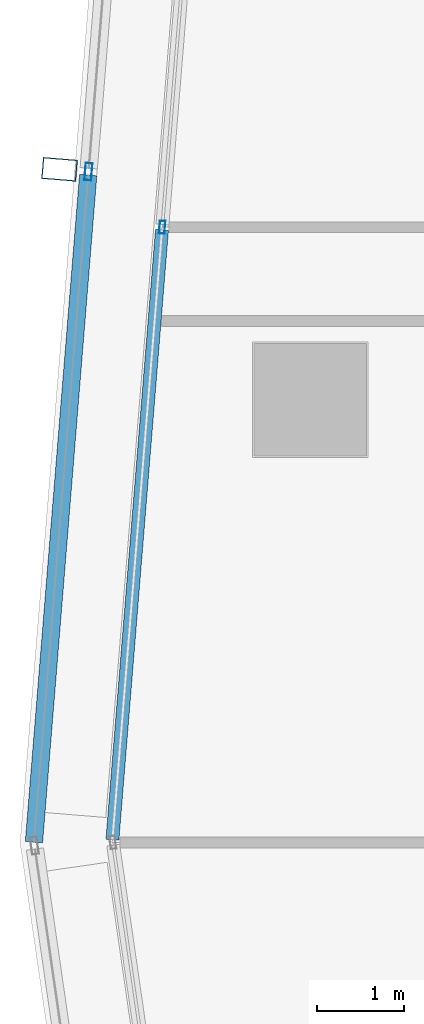
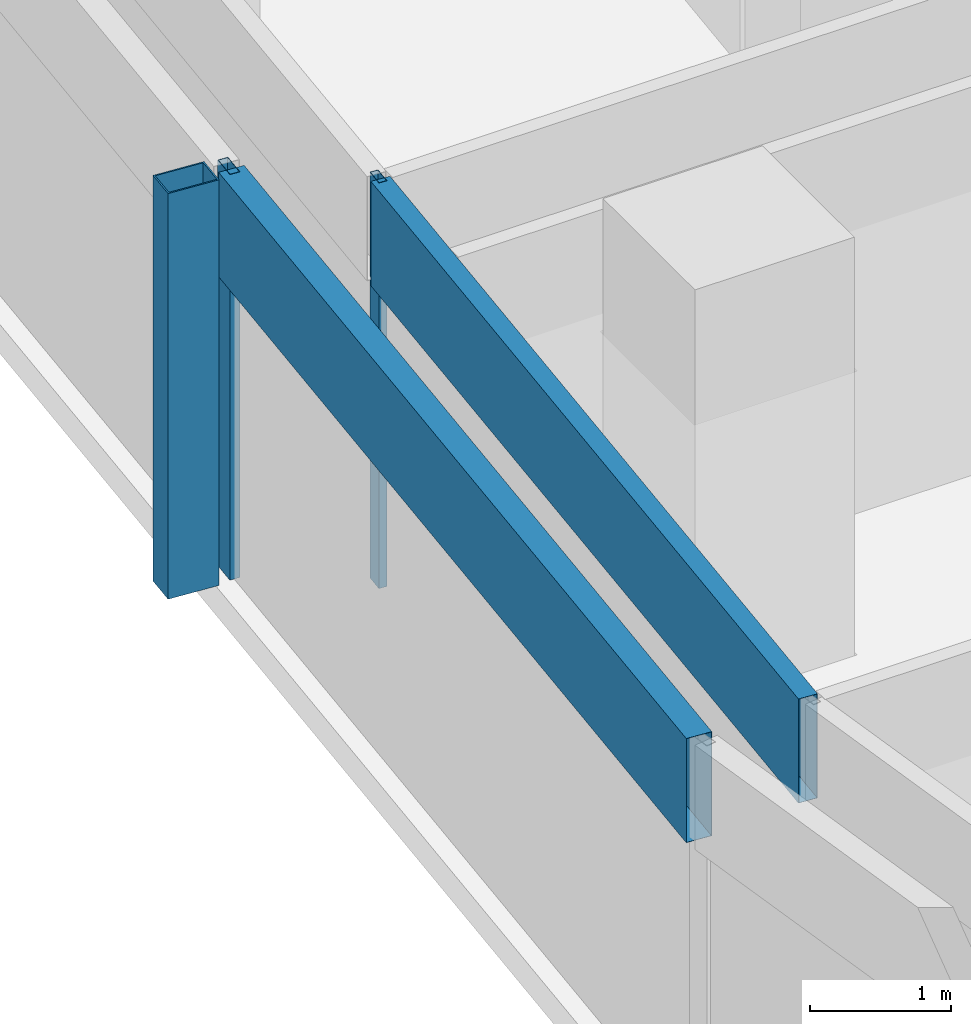
# One storey, part 7 of 29: 5 members, 2 elements without a shape of their own.
"""IFC4 building model written with IfcOpenShell, lengths in metres."""

from ifc_helpers import new_model, si_unit, direction, frame, origin, origin_2d, place, context, subcontext, project, spatial, hollow_rectangle, extrude, material, material_profile, profile_set, type_object, element, aggregate, save


model = new_model("IFC4")

# Units and contexts
model_context = context("Model", 3, precision=1e-05, world=origin(), true_north=direction((0.0, 1.0)))
body_context = subcontext(model_context, "Body", "Model", "MODEL_VIEW")
ifc_project = project(units=[si_unit("LENGTHUNIT", "METRE"), si_unit("AREAUNIT", "SQUARE_METRE"), si_unit("VOLUMEUNIT", "CUBIC_METRE"), si_unit("PLANEANGLEUNIT", "RADIAN"), si_unit("MASSUNIT", "GRAM", prefix="KILO")], contexts=[model_context])

# Site, building, storey
site_placement = place(None, origin())
site = spatial("IfcSite", under=ifc_project, at=site_placement, CompositionType="ELEMENT")
building_placement = place(site_placement, origin())
building = spatial("IfcBuilding", under=site, at=building_placement, Name="Rekha Terrace Tower", CompositionType="ELEMENT")
storey_placement = place(building_placement, frame((0.0, 0.0, 257.60009765625)))
storey = spatial("IfcBuildingStorey", under=building, at=storey_placement, Name="L65", CompositionType="ELEMENT", Elevation=257.60009765625)

# Curtain wall, member
ifc_material_1 = material(Name="Aluminium framing", Category="aluminium")
curtain_wall_type_1 = type_object("IfcCurtainWallType", Name="CW2 double skin outer glazing", PredefinedType="USERDEFINED", material=ifc_material_1)
curtain_wall_1_placement = place(storey_placement, origin())
curtain_wall_1 = element("IfcCurtainWall", 1, at=curtain_wall_1_placement, inside=storey, type_object=curtain_wall_type_1, Name="CW2 double skin outer glazing", ObjectType="DOUBLE SKIN OUTER GLAZING", PredefinedType="USERDEFINED")
ifc_material_2 = material(Name="Steel S355 with fluorocarbon finish", Category="steel")
ifc_material_profile_1 = material_profile(ifc_material_2, hollow_rectangle(XDim=0.25, YDim=0.39990234375, WallThickness=0.012451171875, at=origin_2d()), Name="RHS400x250x12.5")
ifc_profile_set_1 = profile_set([ifc_material_profile_1], Name="Steel S355 with fluorocarbon finish")
member_type_1 = type_object("IfcMemberType", Name="BL1 facade blade RHS 400 x 250", PredefinedType="USERDEFINED", material=ifc_profile_set_1)
member_1_placement = place(storey_placement, frame((5.506103515625, 36.257568359375, 0.0), z_axis=(0.0, 0.0, 1.0), x_axis=(-0.081068747348, -0.996708512156, 0.0)))
member_1 = element("IfcMember", 2, at=member_1_placement, type_object=member_type_1, Name="Facade blade", ObjectType="FACADE BLADE", PredefinedType="USERDEFINED", context=body_context, shape_type="SweptSolid", body=[
    extrude(hollow_rectangle(XDim=0.25, YDim=0.39990234375, WallThickness=0.012451171875, at=origin_2d()), origin(), (0.0, 0.0, 1.0), 3.5),
])

# Curtain wall, members
curtain_wall_type_2 = type_object("IfcCurtainWallType", Name="CW1 double skin inner glazing", PredefinedType="USERDEFINED", material=ifc_material_1)
curtain_wall_2_placement = place(storey_placement, origin())
curtain_wall_2 = element("IfcCurtainWall", 3, at=curtain_wall_2_placement, inside=storey, type_object=curtain_wall_type_2, Name="CW1 double skin inner glazing", ObjectType="DOUBLE SKIN INNER GLAZING", PredefinedType="USERDEFINED")
ifc_material_3 = material(Name="Aluminium mullion section", Category="aluminium")
ifc_material_profile_2 = material_profile(ifc_material_3, hollow_rectangle(XDim=0.06494140625, YDim=0.14990234375, WallThickness=0.00390625, at=origin_2d()), Name="AL RHS 65x150")
ifc_profile_set_2 = profile_set([ifc_material_profile_2], Name="Aluminium mullion section")
member_type_2 = type_object("IfcMemberType", Name="CW1 mullion RHS 65 x 150", PredefinedType="MULLION", material=ifc_profile_set_2)
member_2_placement = place(storey_placement, frame((6.69091796875, 35.58984375, 0.0), z_axis=(0.0, 0.0, 1.0), x_axis=(0.996708580524, -0.081067906781, 0.0)))
member_2 = element("IfcMember", 4, at=member_2_placement, type_object=member_type_2, Name="CW1 mullion 3", PredefinedType="MULLION", context=body_context, shape_type="SweptSolid", body=[
    extrude(hollow_rectangle(XDim=0.06494140625, YDim=0.14990234375, WallThickness=0.00390625, at=origin_2d()), origin(), (0.0, 0.0, 1.0), 3.5),
])
ifc_material_4 = material(Name="Insulated aluminium spandrel box", Category="aluminium")
ifc_material_profile_3 = material_profile(ifc_material_4, hollow_rectangle(XDim=0.14990234375, YDim=0.89990234375, WallThickness=0.0029296875, at=origin_2d()), Name="AL SPANDREL BOX 150x900")
ifc_profile_set_3 = profile_set([ifc_material_profile_3], Name="Insulated aluminium spandrel box")
member_type_3 = type_object("IfcMemberType", Name="CW1 spandrel transom 150 x 900", PredefinedType="USERDEFINED", material=ifc_profile_set_3)
member_3_placement = place(storey_placement, frame((6.688232421875, 35.557373046875, 3.0498046875), z_axis=(-0.081052724461, -0.996709815271, 0.0), x_axis=(0.996709815271, -0.081052724461, 0.0)))
member_3 = element("IfcMember", 5, at=member_3_placement, type_object=member_type_3, Name="CW1 spandrel transom 3", ObjectType="TRANSOM", PredefinedType="USERDEFINED", context=body_context, shape_type="SweptSolid", body=[
    extrude(hollow_rectangle(XDim=0.14990234375, YDim=0.89990234375, WallThickness=0.0029296875, at=origin_2d()), origin(), (0.0, 0.0, 1.0), 7.057373046875),
])
aggregate(curtain_wall_2, [member_2, member_3])

# Member
ifc_material_profile_4 = material_profile(ifc_material_3, hollow_rectangle(XDim=0.080078125, YDim=0.199951171875, WallThickness=0.00390625, at=origin_2d()), Name="AL RHS 80x200")
ifc_profile_set_4 = profile_set([ifc_material_profile_4], Name="Aluminium mullion section")
member_type_4 = type_object("IfcMemberType", Name="CW2 mullion RHS 80 x 200", PredefinedType="MULLION", material=ifc_profile_set_4)
member_4_placement = place(storey_placement, frame((5.840087890625, 36.23046875, 0.0), z_axis=(0.0, 0.0, 1.0), x_axis=(0.996708580521, -0.081067906816, 0.0)))
member_4 = element("IfcMember", 6, at=member_4_placement, type_object=member_type_4, Name="CW2 mullion 3", PredefinedType="MULLION", context=body_context, shape_type="SweptSolid", body=[
    extrude(hollow_rectangle(XDim=0.080078125, YDim=0.199951171875, WallThickness=0.00390625, at=origin_2d()), origin(), (0.0, 0.0, 1.0), 3.5),
])

ifc_material_profile_5 = material_profile(ifc_material_4, hollow_rectangle(XDim=0.199951171875, YDim=0.89990234375, WallThickness=0.0029296875, at=origin_2d()), Name="AL SPANDREL BOX 200x900")
ifc_profile_set_5 = profile_set([ifc_material_profile_5], Name="Insulated aluminium spandrel box")
member_type_5 = type_object("IfcMemberType", Name="CW2 spandrel transom 200 x 900", PredefinedType="USERDEFINED", material=ifc_profile_set_5)
member_5_placement = place(storey_placement, frame((5.8369140625, 36.190673828125, 3.0498046875), z_axis=(-0.08107481866, -0.996708018318, 0.0), x_axis=(0.996708018318, -0.08107481866, 0.0)))
member_5 = element("IfcMember", 7, at=member_5_placement, type_object=member_type_5, Name="CW2 spandrel transom 3", ObjectType="TRANSOM", PredefinedType="USERDEFINED", context=body_context, shape_type="SweptSolid", body=[
    extrude(hollow_rectangle(XDim=0.199951171875, YDim=0.89990234375, WallThickness=0.0029296875, at=origin_2d()), origin(), (0.0, 0.0, 1.0), 7.720947265625),
])

aggregate(curtain_wall_1, [member_4, member_5, member_1])

save(model, "model.ifc")
